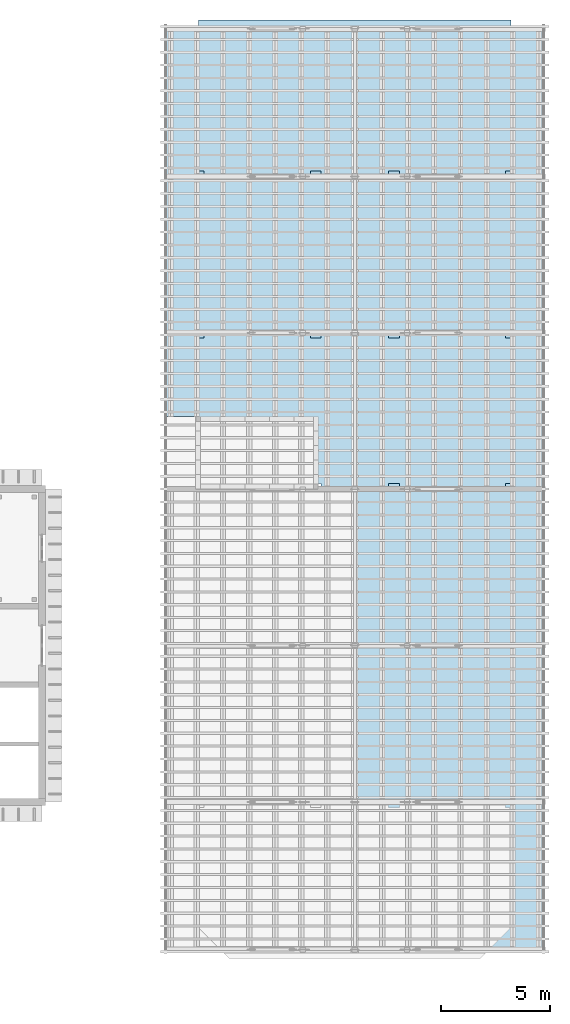
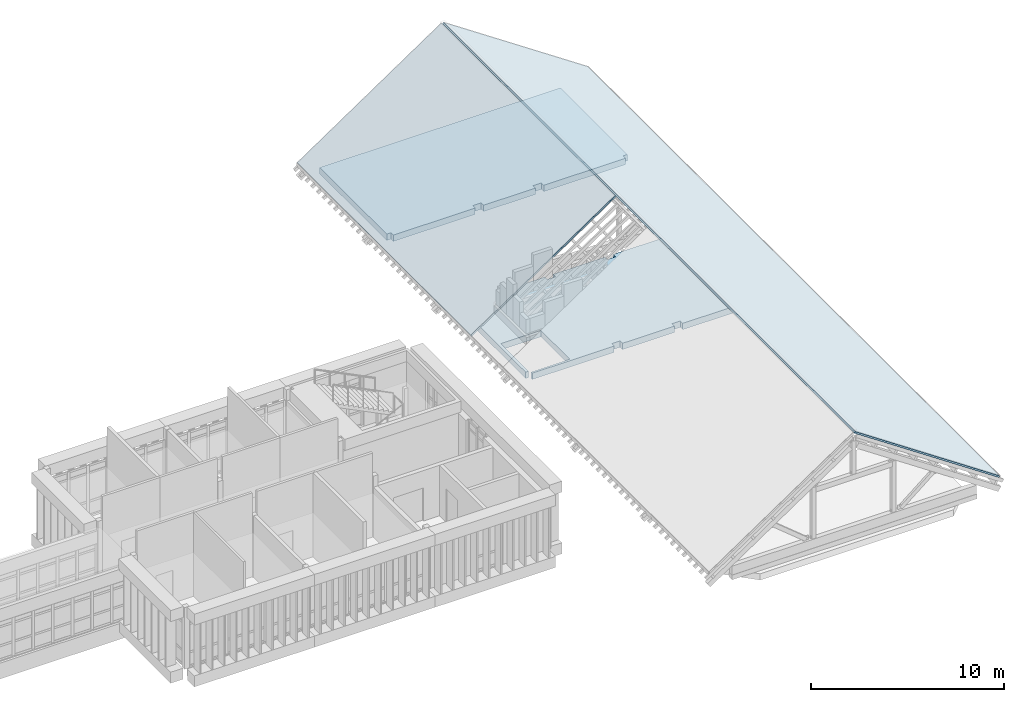
# One storey, part 29 of 51: 4 slabs.
"""IFC4 building model written with IfcOpenShell, lengths in metres."""

from ifc_helpers import new_model, si_unit, direction, frame, origin, place, context, subcontext, project, spatial, polyline, outline, extrude, material, layer, layer_set, type_object, element, save


model = new_model("IFC4")

# Units and contexts
model_context = context("Model", 3, precision=1e-05, world=origin(), true_north=direction((0.0, 1.0)))
body_context = subcontext(model_context, "Body", "Model", "MODEL_VIEW")
ifc_project = project(units=[si_unit("LENGTHUNIT", "METRE"), si_unit("AREAUNIT", "SQUARE_METRE"), si_unit("VOLUMEUNIT", "CUBIC_METRE"), si_unit("PLANEANGLEUNIT", "RADIAN"), si_unit("MASSUNIT", "GRAM", prefix="KILO")], contexts=[model_context])

# Site, building, storey
site_placement = place(None, origin())
site = spatial("IfcSite", under=ifc_project, at=site_placement, CompositionType="ELEMENT")
building_placement = place(site_placement, origin())
building = spatial("IfcBuilding", under=site, at=building_placement, Name="Mazhai Court Health Centre", CompositionType="ELEMENT")
storey_placement = place(building_placement, frame((0.0, 0.0, 14.10009765625)))
storey = spatial("IfcBuildingStorey", under=building, at=storey_placement, Name="L03", CompositionType="ELEMENT", Elevation=14.10009765625)

# Slabs
ifc_material_1 = material(Name="CLT C24 3-ply", Category="wood")
ifc_layer_1 = layer(ifc_material_1, 0.10009765625)
ifc_layer_set_1 = layer_set([ifc_layer_1], Name="CLT C24 3-ply roof panel 100")
slab_type_1 = type_object("IfcSlabType", Name="CLT C24 3-ply roof panel 100", PredefinedType="ROOF", material=ifc_layer_set_1)
slab_1_placement = place(storey_placement, frame((151.699951171875, 6.449951171875, 0.66650390625), z_axis=(0.559182466055, 0.0, 0.829044612585), x_axis=(0.0, 1.0, 0.0)))
element("IfcSlab", 1, at=slab_1_placement, inside=storey, type_object=slab_type_1, Name="Roof slab RV6-RS2", PredefinedType="ROOF", context=body_context, shape_type="SweptSolid", body=[
    extrude(outline(polyline([(0.0, 0.0), (42.699951171875, 0.0), (42.699951171875, 10.426511236585272), (0.0, 10.426511236585272), (0.0, 0.0)])), origin(), (0.0, 0.0, -1.0), 0.10009765625),
])
slab_2_placement = place(storey_placement, frame((134.300048828125, 49.14990234375, 0.66650390625), z_axis=(-0.559182466055, 0.0, 0.829044612585), x_axis=(0.829044612585, 0.0, 0.559182466055)))
element("IfcSlab", 2, at=slab_2_placement, inside=storey, type_object=slab_type_1, Name="Roof slab RV6-RS1", PredefinedType="ROOF", context=body_context, shape_type="SweptSolid", body=[
    extrude(outline(polyline([(0.0, 0.0), (10.426511236585272, 0.0), (10.426511236585272, -18.0), (0.0, -18.0), (0.0, 0.0)])), origin(), (0.0, 0.0, -1.0), 0.10009765625),
])
ifc_material_2 = material(Name="Concrete M40", Category="concrete")
ifc_layer_2 = layer(ifc_material_2, 0.39990234375)
ifc_layer_set_2 = layer_set([ifc_layer_2], Name="RC CORE ROOF 400 M40")
slab_type_2 = type_object("IfcSlabType", Name="RC CORE ROOF 400 M40", PredefinedType="ROOF", material=ifc_layer_set_2)
slab_3_placement = place(storey_placement, frame((0.0, 0.0, -0.7001953125)))
element("IfcSlab", 3, at=slab_3_placement, inside=storey, type_object=slab_type_2, Name="core-C9-roof", PredefinedType="ROOF", context=body_context, shape_type="SweptSolid", body=[
    extrude(outline(polyline([(136.050048828125, 34.75), (136.050048828125, 35.0), (140.949951171875, 35.0), (140.949951171875, 34.75), (141.449951171875, 34.75), (141.449951171875, 35.0), (144.550048828125, 35.0), (144.550048828125, 34.75), (145.050048828125, 34.75), (145.050048828125, 35.0), (149.949951171875, 35.0), (149.949951171875, 34.75), (150.199951171875, 34.75), (150.199951171875, 28.050048828125), (149.949951171875, 28.050048828125), (149.949951171875, 27.800048828125), (145.050048828125, 27.800048828125), (145.050048828125, 28.050048828125), (144.550048828125, 28.050048828125), (144.550048828125, 27.800048828125), (141.449951171875, 27.800048828125), (141.449951171875, 28.050048828125), (140.949951171875, 28.050048828125), (140.949951171875, 27.800048828125), (136.050048828125, 27.800048828125), (136.050048828125, 27.925048828125), (138.364990234375, 27.925048828125), (138.364990234375, 30.925048828125), (135.965087890625, 30.925048828125), (135.965087890625, 28.050048828125), (135.800048828125, 28.050048828125), (135.800048828125, 34.75), (136.050048828125, 34.75)])), origin(), (0.0, 0.0, 1.0), 0.400146484375),
])
slab_4_placement = place(storey_placement, frame((0.0, 0.0, -0.7001953125)))
element("IfcSlab", 4, at=slab_4_placement, inside=storey, type_object=slab_type_2, Name="core-C10-roof", PredefinedType="ROOF", context=body_context, shape_type="SweptSolid", body=[
    extrude(outline(polyline([(135.800048828125, 49.39990234375), (150.199951171875, 49.39990234375), (150.199951171875, 42.449951171875), (149.949951171875, 42.449951171875), (149.949951171875, 42.199951171875), (145.050048828125, 42.199951171875), (145.050048828125, 42.449951171875), (144.550048828125, 42.449951171875), (144.550048828125, 42.199951171875), (141.449951171875, 42.199951171875), (141.449951171875, 42.449951171875), (140.949951171875, 42.449951171875), (140.949951171875, 42.199951171875), (136.050048828125, 42.199951171875), (136.050048828125, 42.449951171875), (135.800048828125, 42.449951171875), (135.800048828125, 49.39990234375)])), origin(), (0.0, 0.0, 1.0), 0.400146484375),
])

save(model, "model.ifc")
